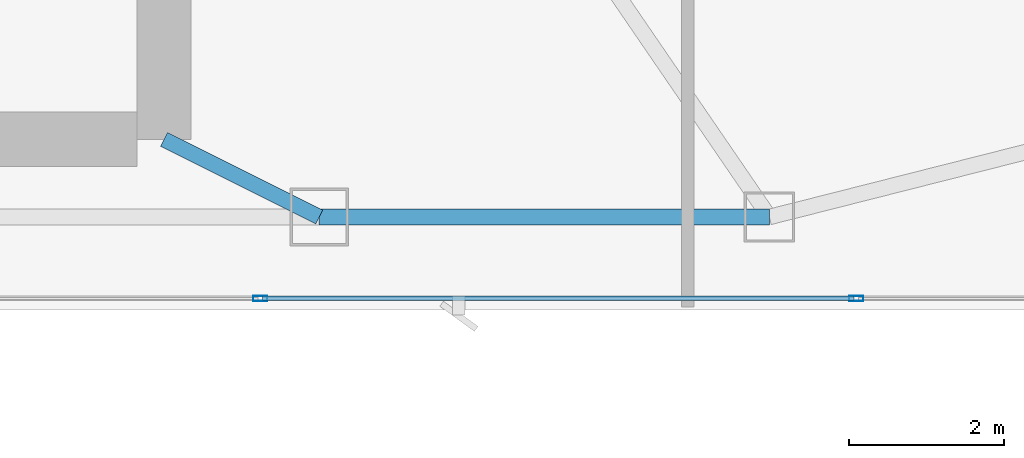
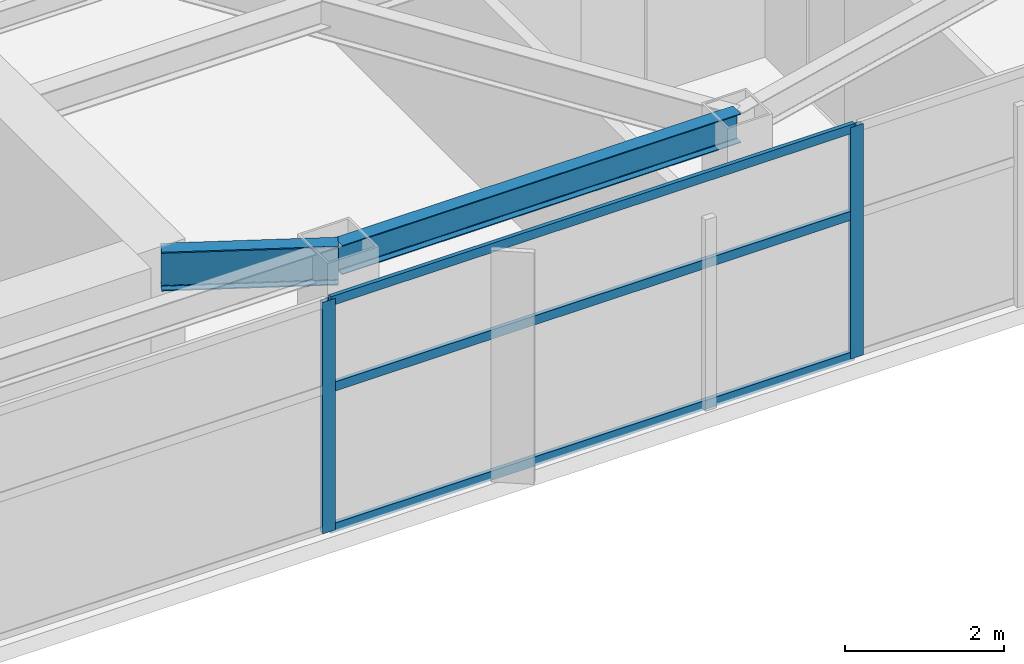
# One storey, part 12 of 29: 5 members, 2 beams, 1 element without a shape of its own.
"""IFC4 building model written with IfcOpenShell, lengths in metres."""

from ifc_helpers import new_model, si_unit, direction, frame, origin, origin_2d, place, context, subcontext, project, spatial, hollow_rectangle, i_section, extrude, material, layer, layer_set, material_profile, profile_set, type_object, element, aggregate, save


model = new_model("IFC4")

# Units and contexts
model_context = context("Model", 3, precision=1e-05, world=origin(), true_north=direction((0.0, 1.0)))
body_context = subcontext(model_context, "Body", "Model", "MODEL_VIEW")
ifc_project = project(units=[si_unit("LENGTHUNIT", "METRE"), si_unit("AREAUNIT", "SQUARE_METRE"), si_unit("VOLUMEUNIT", "CUBIC_METRE"), si_unit("PLANEANGLEUNIT", "RADIAN"), si_unit("MASSUNIT", "GRAM", prefix="KILO")], contexts=[model_context])

# Site, building, storey
site_placement = place(None, origin())
site = spatial("IfcSite", under=ifc_project, at=site_placement, CompositionType="ELEMENT")
building_placement = place(site_placement, origin())
building = spatial("IfcBuilding", under=site, at=building_placement, Name="Calvorn Quay Hotel", CompositionType="ELEMENT")
storey_placement = place(building_placement, frame((0.0, 0.0, 211.0)))
storey = spatial("IfcBuildingStorey", under=building, at=storey_placement, Name="L52", CompositionType="ELEMENT", Elevation=211.0)

# Beams
ifc_material_1 = material(Name="Steel Q355B", Category="steel")
ifc_material_profile_1 = material_profile(ifc_material_1, i_section(OverallWidth=0.199951171875, OverallDepth=0.60009765625, WebThickness=0.010986328125, FlangeThickness=0.01708984375, FilletRadius=0.01806640625, at=origin_2d()), Name="HN600x200x11x17")
ifc_profile_set_1 = profile_set([ifc_material_profile_1], Name="Steel Q355B")
beam_type_1 = type_object("IfcBeamType", Name="BM-GIRD-TYP", PredefinedType="BEAM", material=ifc_profile_set_1)
beam_1_placement = place(storey_placement, frame((34.39990234375, 3.60009765625, 3.239990234375), z_axis=(-0.894427191, 0.4472135955, 0.0), x_axis=(-0.4472135955, -0.894427191, 0.0)))
element("IfcBeam", 1, at=beam_1_placement, inside=storey, type_object=beam_type_1, Name="Beam BG-L52-S3", PredefinedType="BEAM", context=body_context, shape_type="SweptSolid", body=[
    extrude(i_section(OverallWidth=0.199951171875, OverallDepth=0.60009765625, WebThickness=0.010986328125, FlangeThickness=0.01708984375, FilletRadius=0.01806640625, at=origin_2d()), origin(), (0.0, 0.0, 1.0), 2.236083984375),
])
ifc_material_2 = material(Name="Steel Q355B", Category="steel")
ifc_material_profile_2 = material_profile(ifc_material_2, i_section(OverallWidth=0.199951171875, OverallDepth=0.449951171875, WebThickness=0.009033203125, FlangeThickness=0.013916015625, FilletRadius=0.01611328125, at=origin_2d()), Name="HN450x200x9x14")
ifc_profile_set_2 = profile_set([ifc_material_profile_2], Name="Steel Q355B")
beam_type_2 = type_object("IfcBeamType", Name="BM-SPANDREL-Z3", PredefinedType="SPANDREL", material=ifc_profile_set_2)
beam_2_placement = place(storey_placement, frame((34.39990234375, 3.60009765625, 3.31494140625), z_axis=(1.0, 0.0, 0.0), x_axis=(0.0, 1.0, 0.0)))
element("IfcBeam", 2, at=beam_2_placement, inside=storey, type_object=beam_type_2, Name="Beam BSP-L52-S4", PredefinedType="SPANDREL", context=body_context, shape_type="SweptSolid", body=[
    extrude(i_section(OverallWidth=0.199951171875, OverallDepth=0.449951171875, WebThickness=0.009033203125, FlangeThickness=0.013916015625, FilletRadius=0.01611328125, at=origin_2d()), origin(), (0.0, 0.0, 1.0), 5.800048828125),
])

# Curtain wall, members
ifc_material_3 = material(Name="Champagne Bronze Anodised Aluminium and Low-E Glass", Category="aluminium")
ifc_layer = layer(ifc_material_3, 0.219970703125)
ifc_layer_set = layer_set([ifc_layer], Name="CW-SYS-Z3")
curtain_wall_type = type_object("IfcCurtainWallType", Name="CW-SYS-Z3", PredefinedType="NOTDEFINED", material=ifc_layer_set)
curtain_wall_placement = place(storey_placement, origin())
curtain_wall = element("IfcCurtainWall", 3, at=curtain_wall_placement, inside=storey, type_object=curtain_wall_type, Name="Tower South Waterfront Curtain Wall (L52)", PredefinedType="NOTDEFINED")
ifc_material_4 = material(Name="Champagne Bronze Anodised Aluminium 6063-T6", Category="aluminium")
ifc_material_profile_3 = material_profile(ifc_material_4, hollow_rectangle(XDim=0.068115234375, YDim=0.18505859375, WallThickness=0.00390625, at=origin_2d()), Name="ALU-M185x68x4")
ifc_profile_set_3 = profile_set([ifc_material_profile_3], Name="Champagne Bronze Anodised Aluminium 6063-T6")
member_type_1 = type_object("IfcMemberType", Name="CW-SYS-Z3-MUL", PredefinedType="MULLION", material=ifc_profile_set_3)
member_1_placement = place(storey_placement, frame((33.639892578125, 2.550048828125, 0.0), z_axis=(0.0, 0.0, 1.0), x_axis=(0.0, 1.0, 0.0)))
member_1 = element("IfcMember", 4, at=member_1_placement, type_object=member_type_1, Name="CW-L52-S mullion 4", PredefinedType="MULLION", context=body_context, shape_type="SweptSolid", body=[
    extrude(hollow_rectangle(XDim=0.068115234375, YDim=0.18505859375, WallThickness=0.00390625, at=origin_2d()), origin(), (0.0, 0.0, 1.0), 3.56005859375),
])
member_2_placement = place(storey_placement, frame((41.320068359375, 2.550048828125, 0.0), z_axis=(0.0, 0.0, 1.0), x_axis=(0.0, 1.0, 0.0)))
member_2 = element("IfcMember", 5, at=member_2_placement, type_object=member_type_1, Name="CW-L52-S mullion 5", PredefinedType="MULLION", context=body_context, shape_type="SweptSolid", body=[
    extrude(hollow_rectangle(XDim=0.068115234375, YDim=0.18505859375, WallThickness=0.00390625, at=origin_2d()), origin(), (0.0, 0.0, 1.0), 3.56005859375),
])
ifc_material_5 = material(Name="Champagne Bronze Anodised Aluminium 6063-T6", Category="aluminium")
ifc_material_profile_4 = material_profile(ifc_material_5, hollow_rectangle(XDim=0.05810546875, YDim=0.139892578125, WallThickness=0.003173828125, at=origin_2d()), Name="ALU-T140x58x3.2")
ifc_profile_set_4 = profile_set([ifc_material_profile_4], Name="Champagne Bronze Anodised Aluminium 6063-T6")
member_type_2 = type_object("IfcMemberType", Name="CW-SYS-Z3-TRN", PredefinedType="USERDEFINED", material=ifc_profile_set_4)
member_3_placement = place(storey_placement, frame((33.669921875, 2.550048828125, 0.030029296875), z_axis=(1.0, 0.0, 0.0), x_axis=(0.0, 1.0, 0.0)))
member_3 = element("IfcMember", 6, at=member_3_placement, type_object=member_type_2, Name="CW-L52-S transom 4.1", ObjectType="TRANSOM", PredefinedType="USERDEFINED", context=body_context, shape_type="SweptSolid", body=[
    extrude(hollow_rectangle(XDim=0.05810546875, YDim=0.139892578125, WallThickness=0.003173828125, at=origin_2d()), origin(), (0.0, 0.0, 1.0), 7.6201171875),
])
member_4_placement = place(storey_placement, frame((33.669921875, 2.550048828125, 2.199951171875), z_axis=(1.0, 0.0, 0.0), x_axis=(0.0, 1.0, 0.0)))
member_4 = element("IfcMember", 7, at=member_4_placement, type_object=member_type_2, Name="CW-L52-S transom 4.2", ObjectType="TRANSOM", PredefinedType="USERDEFINED", context=body_context, shape_type="SweptSolid", body=[
    extrude(hollow_rectangle(XDim=0.05810546875, YDim=0.139892578125, WallThickness=0.003173828125, at=origin_2d()), origin(), (0.0, 0.0, 1.0), 7.6201171875),
])
member_5_placement = place(storey_placement, frame((33.669921875, 2.550048828125, 3.530029296875), z_axis=(1.0, 0.0, 0.0), x_axis=(0.0, 1.0, 0.0)))
member_5 = element("IfcMember", 8, at=member_5_placement, type_object=member_type_2, Name="CW-L52-S transom 4.3", ObjectType="TRANSOM", PredefinedType="USERDEFINED", context=body_context, shape_type="SweptSolid", body=[
    extrude(hollow_rectangle(XDim=0.05810546875, YDim=0.139892578125, WallThickness=0.003173828125, at=origin_2d()), origin(), (0.0, 0.0, 1.0), 7.6201171875),
])
aggregate(curtain_wall, [member_1, member_2, member_3, member_4, member_5])

save(model, "model.ifc")
